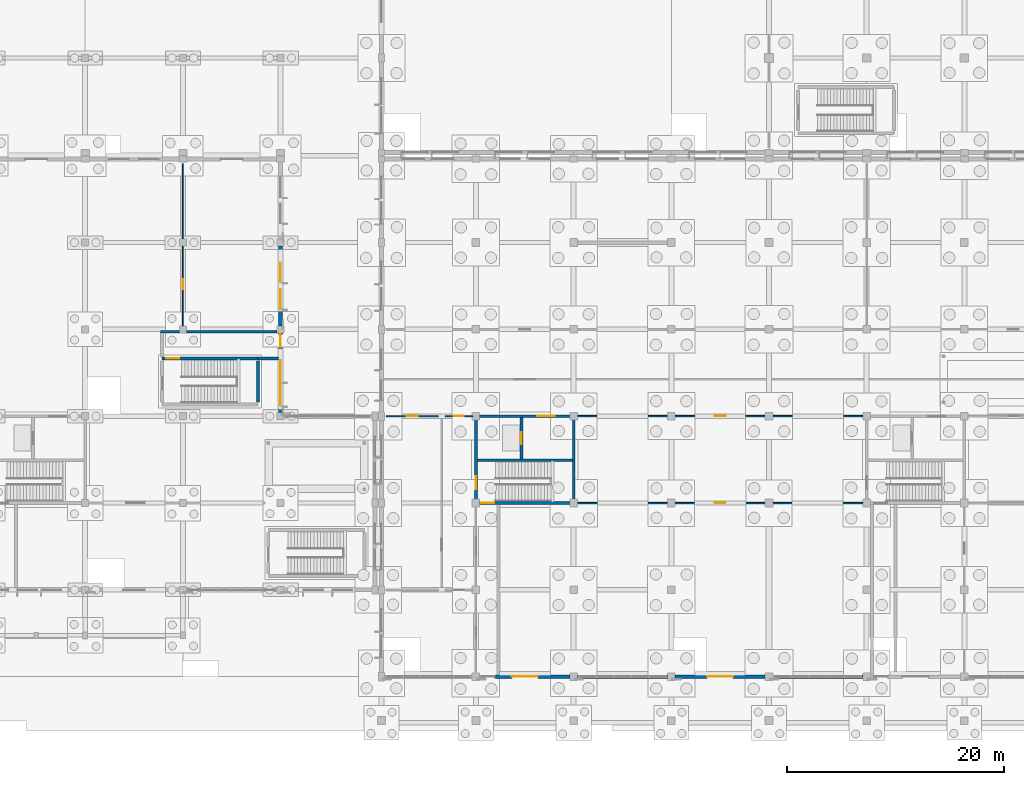
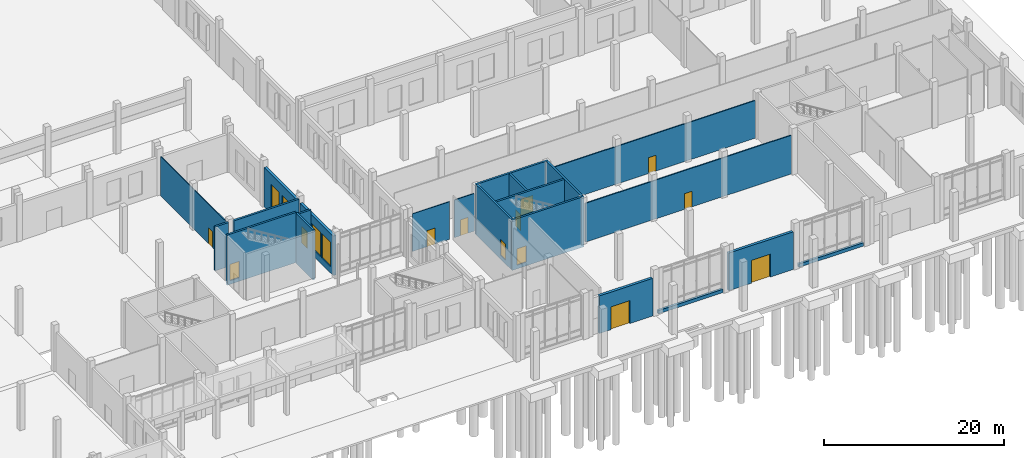
# One storey, part 65 of 99: 23 walls, 13 doors, 4 windows, 17 openings.
"""IFC4 building model written with IfcOpenShell, lengths in metres."""

from ifc_helpers import new_model, si_unit, direction, frame, frame_2d, origin, place, context, subcontext, project, spatial, rectangle, extrude, material, layer, layer_set, type_object, element, fill, save


model = new_model("IFC4")

# Units and contexts
model_context = context("Model", 3, precision=1e-05, world=origin(), true_north=direction((0.0, 1.0)))
body_context = subcontext(model_context, "Body", "Model", "MODEL_VIEW")
ifc_project = project(units=[si_unit("LENGTHUNIT", "METRE"), si_unit("AREAUNIT", "SQUARE_METRE"), si_unit("VOLUMEUNIT", "CUBIC_METRE"), si_unit("PLANEANGLEUNIT", "RADIAN"), si_unit("MASSUNIT", "GRAM", prefix="KILO")], contexts=[model_context])

# Site, building, storey
site_placement = place(None, origin())
site = spatial("IfcSite", under=ifc_project, at=site_placement, CompositionType="ELEMENT")
building_placement = place(site_placement, origin())
building = spatial("IfcBuilding", under=site, at=building_placement, Name="Zacnel Wholesale Market", CompositionType="ELEMENT")
storey_placement = place(building_placement, origin())
storey = spatial("IfcBuildingStorey", under=building, at=storey_placement, Name="L01", CompositionType="ELEMENT", Elevation=0.0)

# Walls
ifc_material_1 = material(Name="Concrete C40/50", Category="concrete")
ifc_layer_1 = layer(ifc_material_1, 0.2548828125)
ifc_layer_set_1 = layer_set([ifc_layer_1], Name="Concrete C40/50")
wall_type_1 = type_object("IfcWallType", Name="WL-COMP-FW250", PredefinedType="STANDARD", material=ifc_layer_set_1)
wall_1_placement = place(storey_placement, frame((132.925048828125, 29.322509765625, 0.0), z_axis=(0.0, 0.0, 1.0), x_axis=(1.0, 0.0, 0.0)))
element("IfcWall", 1, at=wall_1_placement, inside=storey, type_object=wall_type_1, Name="Exit passage ST-19 fire barrier wall 2", PredefinedType="STANDARD", context=body_context, shape_type="SweptSolid", body=[
    extrude(rectangle(XDim=1.905029296875, YDim=0.2548828125, at=frame_2d((0.95263671875, 0.0))), origin(), (0.0, 0.0, 1.0), 5.949951171875),
])
wall_2_placement = place(storey_placement, frame((123.945068359375, 31.777587890625, 0.0), z_axis=(0.0, 0.0, 1.0), x_axis=(1.0, 0.0, 0.0)))
element("IfcWall", 2, at=wall_2_placement, inside=storey, type_object=wall_type_1, Name="Exit passage ST-19 fire barrier wall 3", PredefinedType="STANDARD", context=body_context, shape_type="SweptSolid", body=[
    extrude(rectangle(XDim=1.72998046875, YDim=0.2548828125, at=frame_2d((0.864990234375, 0.0))), origin(), (0.0, 0.0, 1.0), 5.949951171875),
])
wall_3_placement = place(storey_placement, frame((126.324951171875, 31.777587890625, 0.0), z_axis=(0.0, 0.0, 1.0), x_axis=(1.0, 0.0, 0.0)))
element("IfcWall", 3, at=wall_3_placement, inside=storey, type_object=wall_type_1, Name="Exit passage ST-19 fire barrier wall 4", PredefinedType="STANDARD", context=body_context, shape_type="SweptSolid", body=[
    extrude(rectangle(XDim=8.35009765625, YDim=0.2548828125, at=frame_2d((4.175048828125, 0.0))), origin(), (0.0, 0.0, 1.0), 5.949951171875),
])

# Wall, opening, door
ifc_material_2 = material(Name="Concrete C40/50", Category="concrete")
ifc_layer_2 = layer(ifc_material_2, 0.25)
ifc_layer_set_2 = layer_set([ifc_layer_2], Name="Concrete C40/50")
wall_type_2 = type_object("IfcWallType", Name="WL-CORE-SW250", PredefinedType="SOLIDWALL", material=ifc_layer_set_2)
wall_4_placement = place(storey_placement, frame((162.125, 16.0, -0.5), z_axis=(0.0, 0.0, 1.0), x_axis=(-1.0, 0.0, 0.0)))
wall_4 = element("IfcWall", 4, at=wall_4_placement, inside=storey, type_object=wall_type_2, Name="Core C1 south shear wall L01", PredefinedType="SOLIDWALL", context=body_context, shape_type="SweptSolid", body=[
    extrude(rectangle(XDim=9.25, YDim=0.25, at=frame_2d((4.625, 0.0))), origin(), (0.0, 0.0, 1.0), 6.800048828125),
])
opening_1_placement = place(wall_4_placement, frame((7.425048828125, 0.0, 0.5)))
opening_1 = element("IfcOpeningElement", 5, at=opening_1_placement, cuts=wall_4, Name="Opening FD-01", PredefinedType="OPENING", context=body_context, shape_type="SweptSolid", body=[
    extrude(rectangle(XDim=1.199951171875, YDim=2.199951171875, at=frame_2d((0.60009765625, 1.10009765625))), frame((0.0, 0.135009765625, 0.0), z_axis=(0.0, -1.0, 0.0), x_axis=(1.0, 0.0, 0.0)), (0.0, 0.0, 1.0), 0.27001953125),
])
ifc_material_3 = material(Name="Galvanized steel", Category="steel")
door_type_1 = type_object("IfcDoorType", Name="DR-FIRE-STAIR-1200", OperationType="NOTDEFINED", PredefinedType="DOOR", material=ifc_material_3)
door_1_placement = place(opening_1_placement, origin())
door_1 = element("IfcDoor", 6, at=door_1_placement, inside=storey, type_object=door_type_1, Name="Protected stair exit passage fire door C1 L01", OperationType="SINGLE_SWING_RIGHT", OverallHeight=2.199951171875, OverallWidth=1.199951171875, PredefinedType="DOOR", context=body_context, shape_type="SweptSolid", body=[
    extrude(rectangle(XDim=1.199951171875, YDim=2.199951171875, at=frame_2d((0.60009765625, 1.10009765625))), frame((0.0, 0.02490234375, 0.0), z_axis=(0.0, -1.0, 0.0), x_axis=(1.0, 0.0, 0.0)), (0.0, 0.0, 1.0), 0.050048828125),
])
fill(opening_1, door_1)

wall_5_placement = place(storey_placement, frame((152.875, 24.0, -0.5), z_axis=(0.0, 0.0, 1.0), x_axis=(1.0, 0.0, 0.0)))
wall_5 = element("IfcWall", 7, at=wall_5_placement, inside=storey, type_object=wall_type_2, Name="Core C1 north shear wall L01", PredefinedType="SOLIDWALL", context=body_context, shape_type="SweptSolid", body=[
    extrude(rectangle(XDim=9.25, YDim=0.25, at=frame_2d((4.625, 0.0))), origin(), (0.0, 0.0, 1.0), 6.800048828125),
])
opening_2_placement = place(wall_5_placement, frame((5.77490234375, 0.0, 0.5)))
opening_2 = element("IfcOpeningElement", 8, at=opening_2_placement, cuts=wall_5, Name="Opening FD-02", PredefinedType="OPENING", context=body_context, shape_type="SweptSolid", body=[
    extrude(rectangle(XDim=1.60009765625, YDim=2.199951171875, at=frame_2d((0.800048828125, 1.10009765625))), frame((0.0, 0.135009765625, 0.0), z_axis=(0.0, -1.0, 0.0), x_axis=(1.0, 0.0, 0.0)), (0.0, 0.0, 1.0), 0.27001953125),
])
ifc_material_4 = material(Name="Galvanized steel", Category="steel")
door_type_2 = type_object("IfcDoorType", Name="DR-FIRE-LOBBY-1600", OperationType="NOTDEFINED", PredefinedType="DOOR", material=ifc_material_4)
door_2_placement = place(opening_2_placement, origin())
door_2 = element("IfcDoor", 9, at=door_2_placement, inside=storey, type_object=door_type_2, Name="Core lift lobby fire door C1 L01", OperationType="SINGLE_SWING_RIGHT", OverallHeight=2.199951171875, OverallWidth=1.60009765625, PredefinedType="DOOR", context=body_context, shape_type="SweptSolid", body=[
    extrude(rectangle(XDim=1.60009765625, YDim=2.199951171875, at=frame_2d((0.800048828125, 1.10009765625))), frame((0.0, 0.02490234375, 0.0), z_axis=(0.0, -1.0, 0.0), x_axis=(1.0, 0.0, 0.0)), (0.0, 0.0, 1.0), 0.050048828125),
])
fill(opening_2, door_2)

wall_6_placement = place(storey_placement, frame((153.0, 16.125, -0.5), z_axis=(0.0, 0.0, 1.0), x_axis=(0.0, 1.0, 0.0)))
wall_6 = element("IfcWall", 10, at=wall_6_placement, inside=storey, type_object=wall_type_2, Name="Core C1 west shear wall L01", PredefinedType="SOLIDWALL", context=body_context, shape_type="SweptSolid", body=[
    extrude(rectangle(XDim=7.75, YDim=0.25, at=frame_2d((3.875, 0.0))), origin(), (0.0, 0.0, 1.0), 6.800048828125),
])
opening_3_placement = place(wall_6_placement, frame((1.14990234375, 0.0, 0.5)))
opening_3 = element("IfcOpeningElement", 11, at=opening_3_placement, cuts=wall_6, Name="Opening FD-01", PredefinedType="OPENING", context=body_context, shape_type="SweptSolid", body=[
    extrude(rectangle(XDim=1.199951171875, YDim=2.199951171875, at=frame_2d((0.60009765625, 1.10009765625))), frame((0.0, 0.135009765625, 0.0), z_axis=(0.0, -1.0, 0.0), x_axis=(1.0, 0.0, 0.0)), (0.0, 0.0, 1.0), 0.27001953125),
])
door_3_placement = place(opening_3_placement, origin())
door_3 = element("IfcDoor", 12, at=door_3_placement, inside=storey, type_object=door_type_1, Name="Protected stair fire door C1 L01", OperationType="SINGLE_SWING_LEFT", OverallHeight=2.199951171875, OverallWidth=1.199951171875, PredefinedType="DOOR", context=body_context, shape_type="SweptSolid", body=[
    extrude(rectangle(XDim=1.199951171875, YDim=2.199951171875, at=frame_2d((0.60009765625, 1.10009765625))), frame((0.0, 0.02490234375, 0.0), z_axis=(0.0, -1.0, 0.0), x_axis=(1.0, 0.0, 0.0)), (0.0, 0.0, 1.0), 0.050048828125),
])
fill(opening_3, door_3)

# Walls
wall_7_placement = place(storey_placement, frame((162.0, 16.125, -0.5), z_axis=(0.0, 0.0, 1.0), x_axis=(0.0, 1.0, 0.0)))
element("IfcWall", 13, at=wall_7_placement, inside=storey, type_object=wall_type_2, Name="Core C1 east shear wall L01", PredefinedType="SOLIDWALL", context=body_context, shape_type="SweptSolid", body=[
    extrude(rectangle(XDim=7.75, YDim=0.25, at=frame_2d((3.875, 0.0))), origin(), (0.0, 0.0, 1.0), 6.800048828125),
])
wall_8_placement = place(storey_placement, frame((153.125, 19.949951171875, -0.5), z_axis=(0.0, 0.0, 1.0), x_axis=(1.0, 0.0, 0.0)))
element("IfcWall", 14, at=wall_8_placement, inside=storey, type_object=wall_type_2, Name="Core C1 stair-shaft shear wall L01", PredefinedType="SOLIDWALL", context=body_context, shape_type="SweptSolid", body=[
    extrude(rectangle(XDim=8.75, YDim=0.25, at=frame_2d((4.375, 0.0))), origin(), (0.0, 0.0, 1.0), 6.800048828125),
])

# Wall, opening, door
wall_9_placement = place(storey_placement, frame((157.199951171875, 20.074951171875, -0.5), z_axis=(0.0, 0.0, 1.0), x_axis=(0.0, 1.0, 0.0)))
wall_9 = element("IfcWall", 15, at=wall_9_placement, inside=storey, type_object=wall_type_2, Name="Core C1 lift shaft front wall L01", PredefinedType="SOLIDWALL", context=body_context, shape_type="SweptSolid", body=[
    extrude(rectangle(XDim=3.800048828125, YDim=0.25, at=frame_2d((1.89990234375, 0.0))), origin(), (0.0, 0.0, 1.0), 6.800048828125),
])
opening_4_placement = place(wall_9_placement, frame((1.35009765625, 0.0, 0.5)))
opening_4 = element("IfcOpeningElement", 16, at=opening_4_placement, cuts=wall_9, Name="Opening LD-01", PredefinedType="OPENING", context=body_context, shape_type="SweptSolid", body=[
    extrude(rectangle(XDim=1.10009765625, YDim=2.199951171875, at=frame_2d((0.550048828125, 1.10009765625))), frame((0.0, 0.135009765625, 0.0), z_axis=(0.0, -1.0, 0.0), x_axis=(1.0, 0.0, 0.0)), (0.0, 0.0, 1.0), 0.27001953125),
])
ifc_material_5 = material(Name="Galvanized steel", Category="steel")
door_type_3 = type_object("IfcDoorType", Name="DR-LIFT-PASS-1100", OperationType="NOTDEFINED", PredefinedType="DOOR", material=ifc_material_5)
door_4_placement = place(opening_4_placement, origin())
door_4 = element("IfcDoor", 17, at=door_4_placement, inside=storey, type_object=door_type_3, Name="Lift landing door LP-01 L01", OperationType="SLIDING_TO_LEFT", OverallHeight=2.199951171875, OverallWidth=1.10009765625, PredefinedType="DOOR", context=body_context, shape_type="SweptSolid", body=[
    extrude(rectangle(XDim=1.10009765625, YDim=2.199951171875, at=frame_2d((0.550048828125, 1.10009765625))), frame((0.0, 0.02490234375, 0.0), z_axis=(0.0, -1.0, 0.0), x_axis=(1.0, 0.0, 0.0)), (0.0, 0.0, 1.0), 0.050048828125),
])
fill(opening_4, door_4)

wall_10_placement = place(storey_placement, frame((124.074951171875, 29.324951171875, -0.5), z_axis=(0.0, 0.0, 1.0), x_axis=(1.0, 0.0, 0.0)))
wall_10 = element("IfcWall", 18, at=wall_10_placement, inside=storey, type_object=wall_type_2, Name="Stair ST-19 north enclosure wall L01", PredefinedType="SOLIDWALL", context=body_context, shape_type="SweptSolid", body=[
    extrude(rectangle(XDim=8.85009765625, YDim=0.25, at=frame_2d((4.425048828125, 0.0))), origin(), (0.0, 0.0, 1.0), 6.800048828125),
])
opening_5_placement = place(wall_10_placement, frame((0.375, 0.0, 0.5)))
opening_5 = element("IfcOpeningElement", 19, at=opening_5_placement, cuts=wall_10, Name="Opening FD-01", PredefinedType="OPENING", context=body_context, shape_type="SweptSolid", body=[
    extrude(rectangle(XDim=1.199951171875, YDim=2.199951171875, at=frame_2d((0.60009765625, 1.10009765625))), frame((0.0, 0.135009765625, 0.0), z_axis=(0.0, -1.0, 0.0), x_axis=(1.0, 0.0, 0.0)), (0.0, 0.0, 1.0), 0.27001953125),
])
door_5_placement = place(opening_5_placement, origin())
door_5 = element("IfcDoor", 20, at=door_5_placement, inside=storey, type_object=door_type_1, Name="Stair ST-19 exit passage fire door L01", OperationType="SINGLE_SWING_RIGHT", OverallHeight=2.199951171875, OverallWidth=1.199951171875, PredefinedType="DOOR", context=body_context, shape_type="SweptSolid", body=[
    extrude(rectangle(XDim=1.199951171875, YDim=2.199951171875, at=frame_2d((0.60009765625, 1.10009765625))), frame((0.0, 0.02490234375, 0.0), z_axis=(0.0, -1.0, 0.0), x_axis=(1.0, 0.0, 0.0)), (0.0, 0.0, 1.0), 0.050048828125),
])
fill(opening_5, door_5)

# Walls
wall_11_placement = place(storey_placement, frame((132.925048828125, 25.324951171875, -0.5), z_axis=(0.0, 0.0, 1.0), x_axis=(0.0, 1.0, 0.0)))
element("IfcWall", 21, at=wall_11_placement, inside=storey, type_object=wall_type_2, Name="Stair ST-19 east enclosure wall L01", PredefinedType="SOLIDWALL", context=body_context, shape_type="SweptSolid", body=[
    extrude(rectangle(XDim=3.75, YDim=0.25, at=frame_2d((1.875, 0.0))), origin(), (0.0, 0.0, 1.0), 6.800048828125),
])
ifc_material_6 = material(Name="Precast concrete C40/50 (Cancun limestone aggregate)", Category="masonry")
ifc_layer_3 = layer(ifc_material_6, 0.300048828125)
ifc_layer_set_3 = layer_set([ifc_layer_3], Name="Precast concrete C40/50 (Cancun limestone aggregate)")
wall_type_3 = type_object("IfcWallType", Name="WL-EXT-LIME-300", PredefinedType="SOLIDWALL", material=ifc_layer_set_3)
for number, where, z_axis, x_axis, name in (
    (22, (162.35009765625, 0.0, 0.0), (0.0, 0.0, 1.0), (1.0, 0.0, 0.0), "Curtain-wall limestone plinth L01-0006"),
    (23, (180.35009765625, 0.0, 0.0), (0.0, 0.0, 1.0), (1.0, 0.0, 0.0), "Curtain-wall limestone plinth L01-0007"),
):
    element("IfcWall", number, at=place(storey_placement, frame(where, z_axis=z_axis, x_axis=x_axis)), inside=storey, type_object=wall_type_3, Name=name, PredefinedType="SOLIDWALL", context=body_context, shape_type="SweptSolid", body=[
        extrude(rectangle(XDim=8.2998046875, YDim=0.300048828125, at=frame_2d((4.14990234375, 0.0))), origin(), (0.0, 0.0, 1.0), 0.449951171875),
    ])

# Wall, openings, windows
ifc_material_7 = material(Name="Precast concrete C40/50 (Cancun limestone aggregate)", Category="masonry")
ifc_layer_4 = layer(ifc_material_7, 0.340087890625)
ifc_layer_set_4 = layer_set([ifc_layer_4], Name="Precast concrete C40/50 (Cancun limestone aggregate)")
wall_type_4 = type_object("IfcWallType", Name="WL-EXT-LIME-340", PredefinedType="SOLIDWALL", material=ifc_layer_set_4)
wall_12_placement = place(storey_placement, frame((135.0, 24.324951171875, 0.0), z_axis=(0.0, 0.0, 1.0), x_axis=(0.0, 1.0, 0.0)))
wall_12 = element("IfcWall", 24, at=wall_12_placement, inside=storey, type_object=wall_type_4, Name="Exterior wall L01-0097", PredefinedType="SOLIDWALL", context=body_context, shape_type="SweptSolid", body=[
    extrude(rectangle(XDim=5.925048828125, YDim=0.340087890625, at=frame_2d((2.96240234375, 0.0))), origin(), (0.0, 0.0, 1.0), 5.35009765625),
])
opening_6_placement = place(wall_12_placement, frame((0.618896484375, 0.0, 0.85009765625)))
opening_6 = element("IfcOpeningElement", 25, at=opening_6_placement, cuts=wall_12, Name="Opening W-02", PredefinedType="OPENING", context=body_context, shape_type="SweptSolid", body=[
    extrude(rectangle(XDim=2.0, YDim=3.300048828125, at=frame_2d((1.0, 1.64990234375))), frame((0.0, 0.179931640625, 0.0), z_axis=(0.0, -1.0, 0.0), x_axis=(1.0, 0.0, 0.0)), (0.0, 0.0, 1.0), 0.360107421875),
])
opening_7_placement = place(wall_12_placement, frame((2.820068359375, 0.0, 0.85009765625)))
opening_7 = element("IfcOpeningElement", 26, at=opening_7_placement, cuts=wall_12, Name="Opening W-02", PredefinedType="OPENING", context=body_context, shape_type="SweptSolid", body=[
    extrude(rectangle(XDim=2.0, YDim=3.300048828125, at=frame_2d((1.0, 1.64990234375))), frame((0.0, 0.179931640625, 0.0), z_axis=(0.0, -1.0, 0.0), x_axis=(1.0, 0.0, 0.0)), (0.0, 0.0, 1.0), 0.360107421875),
])
ifc_material_8 = material(Name="Laminated hurricane-impact low-E insulated glass", Category="glass")
window_type_1 = type_object("IfcWindowType", Name="WIN-DEC-2000X3300", PartitioningType="DOUBLE_PANEL_VERTICAL", PredefinedType="WINDOW", material=ifc_material_8)
window_1_placement = place(opening_6_placement, origin())
window_1 = element("IfcWindow", 27, at=window_1_placement, inside=storey, type_object=window_type_1, Name="Window L01-0084", OverallHeight=3.300048828125, OverallWidth=2.0, PartitioningType="DOUBLE_PANEL_VERTICAL", PredefinedType="WINDOW", context=body_context, shape_type="SweptSolid", body=[
    extrude(rectangle(XDim=2.0, YDim=3.300048828125, at=frame_2d((1.0, 1.64990234375))), frame((0.0, 0.030029296875, 0.0), z_axis=(0.0, -1.0, 0.0), x_axis=(1.0, 0.0, 0.0)), (0.0, 0.0, 1.0), 0.06005859375),
])
fill(opening_6, window_1)
window_2_placement = place(opening_7_placement, origin())
window_2 = element("IfcWindow", 28, at=window_2_placement, inside=storey, type_object=window_type_1, Name="Window L01-0085", OverallHeight=3.300048828125, OverallWidth=2.0, PartitioningType="DOUBLE_PANEL_VERTICAL", PredefinedType="WINDOW", context=body_context, shape_type="SweptSolid", body=[
    extrude(rectangle(XDim=2.0, YDim=3.300048828125, at=frame_2d((1.0, 1.64990234375))), frame((0.0, 0.030029296875, 0.0), z_axis=(0.0, -1.0, 0.0), x_axis=(1.0, 0.0, 0.0)), (0.0, 0.0, 1.0), 0.06005859375),
])
fill(opening_7, window_2)

wall_13_placement = place(storey_placement, frame((135.0, 32.324951171875, 0.0), z_axis=(0.0, 0.0, 1.0), x_axis=(0.0, 1.0, 0.0)))
wall_13 = element("IfcWall", 29, at=wall_13_placement, inside=storey, type_object=wall_type_4, Name="Exterior wall L01-0098", PredefinedType="SOLIDWALL", context=body_context, shape_type="SweptSolid", body=[
    extrude(rectangle(XDim=7.35009765625, YDim=0.340087890625, at=frame_2d((3.675048828125, 0.0))), origin(), (0.0, 0.0, 1.0), 5.35009765625),
])
opening_8_placement = place(wall_13_placement, frame((1.550048828125, 0.0, 0.85009765625)))
opening_8 = element("IfcOpeningElement", 30, at=opening_8_placement, cuts=wall_13, Name="Opening W-03", PredefinedType="OPENING", context=body_context, shape_type="SweptSolid", body=[
    extrude(rectangle(XDim=1.800048828125, YDim=3.14990234375, at=frame_2d((0.89990234375, 1.574951171875))), frame((0.0, 0.179931640625, 0.0), z_axis=(0.0, -1.0, 0.0), x_axis=(1.0, 0.0, 0.0)), (0.0, 0.0, 1.0), 0.360107421875),
])
opening_9_placement = place(wall_13_placement, frame((4.0, 0.0, 0.85009765625)))
opening_9 = element("IfcOpeningElement", 31, at=opening_9_placement, cuts=wall_13, Name="Opening W-03", PredefinedType="OPENING", context=body_context, shape_type="SweptSolid", body=[
    extrude(rectangle(XDim=1.800048828125, YDim=3.14990234375, at=frame_2d((0.89990234375, 1.574951171875))), frame((0.0, 0.179931640625, 0.0), z_axis=(0.0, -1.0, 0.0), x_axis=(1.0, 0.0, 0.0)), (0.0, 0.0, 1.0), 0.360107421875),
])
ifc_material_9 = material(Name="Laminated hurricane-impact low-E insulated glass", Category="glass")
window_type_2 = type_object("IfcWindowType", Name="WIN-DEC-1800X3150", PartitioningType="DOUBLE_PANEL_VERTICAL", PredefinedType="WINDOW", material=ifc_material_9)
window_3_placement = place(opening_8_placement, origin())
window_3 = element("IfcWindow", 32, at=window_3_placement, inside=storey, type_object=window_type_2, Name="Window L01-0086", OverallHeight=3.14990234375, OverallWidth=1.800048828125, PartitioningType="DOUBLE_PANEL_VERTICAL", PredefinedType="WINDOW", context=body_context, shape_type="SweptSolid", body=[
    extrude(rectangle(XDim=1.800048828125, YDim=3.14990234375, at=frame_2d((0.89990234375, 1.574951171875))), frame((0.0, 0.030029296875, 0.0), z_axis=(0.0, -1.0, 0.0), x_axis=(1.0, 0.0, 0.0)), (0.0, 0.0, 1.0), 0.06005859375),
])
fill(opening_8, window_3)
window_4_placement = place(opening_9_placement, origin())
window_4 = element("IfcWindow", 33, at=window_4_placement, inside=storey, type_object=window_type_2, Name="Window L01-0087", OverallHeight=3.14990234375, OverallWidth=1.800048828125, PartitioningType="DOUBLE_PANEL_VERTICAL", PredefinedType="WINDOW", context=body_context, shape_type="SweptSolid", body=[
    extrude(rectangle(XDim=1.800048828125, YDim=3.14990234375, at=frame_2d((0.89990234375, 1.574951171875))), frame((0.0, 0.030029296875, 0.0), z_axis=(0.0, -1.0, 0.0), x_axis=(1.0, 0.0, 0.0)), (0.0, 0.0, 1.0), 0.06005859375),
])
fill(opening_9, window_4)

# Wall, opening, door
wall_14_placement = place(storey_placement, frame((171.35009765625, 0.0, 0.0), z_axis=(0.0, 0.0, 1.0), x_axis=(1.0, 0.0, 0.0)))
wall_14 = element("IfcWall", 34, at=wall_14_placement, inside=storey, type_object=wall_type_4, Name="Exterior wall L01-0101", PredefinedType="SOLIDWALL", context=body_context, shape_type="SweptSolid", body=[
    extrude(rectangle(XDim=8.2998046875, YDim=0.340087890625, at=frame_2d((4.14990234375, 0.0))), origin(), (0.0, 0.0, 1.0), 5.10009765625),
])
opening_10_placement = place(wall_14_placement, frame((2.949951171875, 0.0, 0.0)))
opening_10 = element("IfcOpeningElement", 35, at=opening_10_placement, cuts=wall_14, Name="Opening ED-01", PredefinedType="OPENING", context=body_context, shape_type="SweptSolid", body=[
    extrude(rectangle(XDim=2.39990234375, YDim=3.10009765625, at=frame_2d((1.199951171875, 1.550048828125))), frame((0.0, 0.179931640625, 0.0), z_axis=(0.0, -1.0, 0.0), x_axis=(1.0, 0.0, 0.0)), (0.0, 0.0, 1.0), 0.360107421875),
])
ifc_material_10 = material(Name="Anodised aluminium", Category="aluminium")
door_type_4 = type_object("IfcDoorType", Name="DR-EXT-PORTAL-2400", OperationType="NOTDEFINED", PredefinedType="DOOR", material=ifc_material_10)
door_6_placement = place(opening_10_placement, origin())
door_6 = element("IfcDoor", 36, at=door_6_placement, inside=storey, type_object=door_type_4, Name="Boulevard entrance portal 027", OperationType="DOUBLE_DOOR_SINGLE_SWING", OverallHeight=3.10009765625, OverallWidth=2.39990234375, PredefinedType="DOOR", context=body_context, shape_type="SweptSolid", body=[
    extrude(rectangle(XDim=2.39990234375, YDim=3.10009765625, at=frame_2d((1.199951171875, 1.550048828125))), frame((0.0, 0.02490234375, 0.0), z_axis=(0.0, -1.0, 0.0), x_axis=(1.0, 0.0, 0.0)), (0.0, 0.0, 1.0), 0.050048828125),
])
fill(opening_10, door_6)

wall_15_placement = place(storey_placement, frame((135.0, 31.675048828125, 0.0), z_axis=(0.0, 0.0, 1.0), x_axis=(0.0, -1.0, 0.0)))
wall_15 = element("IfcWall", 37, at=wall_15_placement, inside=storey, type_object=wall_type_4, Name="Exterior wall L01-0097 part 2", PredefinedType="SOLIDWALL", context=body_context, shape_type="SweptSolid", body=[
    extrude(rectangle(XDim=1.425048828125, YDim=0.340087890625, at=frame_2d((0.71240234375, 0.0))), origin(), (0.0, 0.0, 1.0), 5.35009765625),
])
opening_11_placement = place(wall_15_placement, frame((0.125, 0.0, 0.0)))
opening_11 = element("IfcOpeningElement", 38, at=opening_11_placement, cuts=wall_15, Name="Opening ED-04", PredefinedType="OPENING", context=body_context, shape_type="SweptSolid", body=[
    extrude(rectangle(XDim=1.199951171875, YDim=2.25, at=frame_2d((0.60009765625, 1.125))), frame((0.0, 0.179931640625, 0.0), z_axis=(0.0, -1.0, 0.0), x_axis=(1.0, 0.0, 0.0)), (0.0, 0.0, 1.0), 0.360107421875),
])
ifc_material_11 = material(Name="Galvanized steel S355", Category="steel")
door_type_5 = type_object("IfcDoorType", Name="DR-EXT-EXIT-1200", OperationType="NOTDEFINED", PredefinedType="DOOR", material=ifc_material_11)
door_7_placement = place(opening_11_placement, origin())
door_7 = element("IfcDoor", 39, at=door_7_placement, inside=storey, type_object=door_type_5, Name="Final exit door ST-19 to the east", OperationType="SINGLE_SWING_LEFT", OverallHeight=2.25, OverallWidth=1.199951171875, PredefinedType="DOOR", context=body_context, shape_type="SweptSolid", body=[
    extrude(rectangle(XDim=1.199951171875, YDim=2.25, at=frame_2d((0.60009765625, 1.125))), frame((0.0, 0.02490234375, 0.0), z_axis=(0.0, -1.0, 0.0), x_axis=(1.0, 0.0, 0.0)), (0.0, 0.0, 1.0), 0.050048828125),
])
fill(opening_11, door_7)

wall_16_placement = place(storey_placement, frame((154.800048828125, 0.0, 0.0), z_axis=(0.0, 0.0, 1.0), x_axis=(1.0, 0.0, 0.0)))
wall_16 = element("IfcWall", 40, at=wall_16_placement, inside=storey, type_object=wall_type_4, Name="Exterior wall L01-0100 part 2", PredefinedType="SOLIDWALL", context=body_context, shape_type="SweptSolid", body=[
    extrude(rectangle(XDim=6.849853515625, YDim=0.340087890625, at=frame_2d((3.4248046875, 0.0))), origin(), (0.0, 0.0, 1.0), 5.10009765625),
])
opening_12_placement = place(wall_16_placement, frame((1.5, 0.0, 0.0)))
opening_12 = element("IfcOpeningElement", 41, at=opening_12_placement, cuts=wall_16, Name="Opening ED-01", PredefinedType="OPENING", context=body_context, shape_type="SweptSolid", body=[
    extrude(rectangle(XDim=2.39990234375, YDim=3.10009765625, at=frame_2d((1.199951171875, 1.550048828125))), frame((0.0, 0.179931640625, 0.0), z_axis=(0.0, -1.0, 0.0), x_axis=(1.0, 0.0, 0.0)), (0.0, 0.0, 1.0), 0.360107421875),
])
door_8_placement = place(opening_12_placement, origin())
door_8 = element("IfcDoor", 42, at=door_8_placement, inside=storey, type_object=door_type_4, Name="Boulevard entrance portal 026", OperationType="DOUBLE_DOOR_SINGLE_SWING", OverallHeight=3.10009765625, OverallWidth=2.39990234375, PredefinedType="DOOR", context=body_context, shape_type="SweptSolid", body=[
    extrude(rectangle(XDim=2.39990234375, YDim=3.10009765625, at=frame_2d((1.199951171875, 1.550048828125))), frame((0.0, 0.02490234375, 0.0), z_axis=(0.0, -1.0, 0.0), x_axis=(1.0, 0.0, 0.0)), (0.0, 0.0, 1.0), 0.050048828125),
])
fill(opening_12, door_8)

ifc_material_12 = material(Name="Moisture-resistant gypsum board partition")
ifc_layer_5 = layer(ifc_material_12, 0.10009765625)
ifc_layer_set_5 = layer_set([ifc_layer_5], Name="Moisture-resistant gypsum board partition")
wall_type_5 = type_object("IfcWallType", Name="WL-PART-GYP100", PredefinedType="PARTITIONING", material=ifc_layer_set_5)
wall_17_placement = place(storey_placement, frame((126.0, 32.300048828125, 0.0), z_axis=(0.0, 0.0, 1.0), x_axis=(0.0, 1.0, 0.0)))
wall_17 = element("IfcWall", 43, at=wall_17_placement, inside=storey, type_object=wall_type_5, Name="Interior partition L01-0028", PredefinedType="PARTITIONING", context=body_context, shape_type="SweptSolid", body=[
    extrude(rectangle(XDim=14.949951171875, YDim=0.10009765625, at=frame_2d((7.47509765625, 0.0))), origin(), (0.0, 0.0, 1.0), 5.35009765625),
])
opening_13_placement = place(wall_17_placement, frame((3.3798828125, 0.0, 0.0)))
opening_13 = element("IfcOpeningElement", 44, at=opening_13_placement, cuts=wall_17, Name="Opening ID-11", PredefinedType="OPENING", context=body_context, shape_type="SweptSolid", body=[
    extrude(rectangle(XDim=0.93994140625, YDim=2.139892578125, at=frame_2d((0.469970703125, 1.06982421875))), frame((0.0, 0.06005859375, 0.0), z_axis=(0.0, -1.0, 0.0), x_axis=(1.0, 0.0, 0.0)), (0.0, 0.0, 1.0), 0.1201171875),
])
ifc_material_13 = material(Name="Solid-core tropical hardwood door", Category="wood")
door_type_6 = type_object("IfcDoorType", Name="DR-OFF-SGL-940", OperationType="NOTDEFINED", PredefinedType="DOOR", material=ifc_material_13)
door_9_placement = place(opening_13_placement, origin())
door_9 = element("IfcDoor", 45, at=door_9_placement, inside=storey, type_object=door_type_6, Name="Interior door L01-0024", OperationType="SINGLE_SWING_LEFT", OverallHeight=2.139892578125, OverallWidth=0.93994140625, PredefinedType="DOOR", context=body_context, shape_type="SweptSolid", body=[
    extrude(rectangle(XDim=0.93994140625, YDim=2.139892578125, at=frame_2d((0.469970703125, 1.06982421875))), frame((0.0, 0.02490234375, 0.0), z_axis=(0.0, -1.0, 0.0), x_axis=(1.0, 0.0, 0.0)), (0.0, 0.0, 1.0), 0.050048828125),
])
fill(opening_13, door_9)

wall_18_placement = place(storey_placement, frame((144.75, 24.0, 0.0), z_axis=(0.0, 0.0, 1.0), x_axis=(1.0, 0.0, 0.0)))
wall_18 = element("IfcWall", 46, at=wall_18_placement, inside=storey, type_object=wall_type_5, Name="Interior partition L01-0044", PredefinedType="PARTITIONING", context=body_context, shape_type="SweptSolid", body=[
    extrude(rectangle(XDim=4.800048828125, YDim=0.10009765625, at=frame_2d((2.39990234375, 0.0))), origin(), (0.0, 0.0, 1.0), 5.10009765625),
])
opening_14_placement = place(wall_18_placement, frame((1.889892578125, 0.0, 0.0)))
opening_14 = element("IfcOpeningElement", 47, at=opening_14_placement, cuts=wall_18, Name="Opening ID-12", PredefinedType="OPENING", context=body_context, shape_type="SweptSolid", body=[
    extrude(rectangle(XDim=1.02001953125, YDim=2.179931640625, at=frame_2d((0.510009765625, 1.08984375))), frame((0.0, 0.06005859375, 0.0), z_axis=(0.0, -1.0, 0.0), x_axis=(1.0, 0.0, 0.0)), (0.0, 0.0, 1.0), 0.1201171875),
])
ifc_material_14 = material(Name="Solid-core tropical hardwood door", Category="wood")
door_type_7 = type_object("IfcDoorType", Name="DR-OFF-SGL-1020", OperationType="NOTDEFINED", PredefinedType="DOOR", material=ifc_material_14)
door_10_placement = place(opening_14_placement, origin())
door_10 = element("IfcDoor", 48, at=door_10_placement, inside=storey, type_object=door_type_7, Name="Interior door L01-0035", OperationType="SINGLE_SWING_RIGHT", OverallHeight=2.179931640625, OverallWidth=1.02001953125, PredefinedType="DOOR", context=body_context, shape_type="SweptSolid", body=[
    extrude(rectangle(XDim=1.02001953125, YDim=2.179931640625, at=frame_2d((0.510009765625, 1.08984375))), frame((0.0, 0.02490234375, 0.0), z_axis=(0.0, -1.0, 0.0), x_axis=(1.0, 0.0, 0.0)), (0.0, 0.0, 1.0), 0.050048828125),
])
fill(opening_14, door_10)

ifc_material_15 = material(Name="Moisture-resistant gypsum board partition")
ifc_layer_6 = layer(ifc_material_15, 0.110107421875)
ifc_layer_set_6 = layer_set([ifc_layer_6], Name="Moisture-resistant gypsum board partition")
wall_type_6 = type_object("IfcWallType", Name="WL-PART-GYP110", PredefinedType="PARTITIONING", material=ifc_layer_set_6)
wall_19_placement = place(storey_placement, frame((150.14990234375, 24.0, 0.0), z_axis=(0.0, 0.0, 1.0), x_axis=(1.0, 0.0, 0.0)))
wall_19 = element("IfcWall", 49, at=wall_19_placement, inside=storey, type_object=wall_type_6, Name="Interior partition L01-0043", PredefinedType="PARTITIONING", context=body_context, shape_type="SweptSolid", body=[
    extrude(rectangle(XDim=2.550048828125, YDim=0.110107421875, at=frame_2d((1.27490234375, 0.0))), origin(), (0.0, 0.0, 1.0), 5.10009765625),
])
opening_15_placement = place(wall_19_placement, frame((0.804931640625, 0.0, 0.0)))
opening_15 = element("IfcOpeningElement", 50, at=opening_15_placement, cuts=wall_19, Name="Opening ID-11", PredefinedType="OPENING", context=body_context, shape_type="SweptSolid", body=[
    extrude(rectangle(XDim=0.93994140625, YDim=2.139892578125, at=frame_2d((0.469970703125, 1.06982421875))), frame((0.0, 0.06494140625, 0.0), z_axis=(0.0, -1.0, 0.0), x_axis=(1.0, 0.0, 0.0)), (0.0, 0.0, 1.0), 0.130126953125),
])
door_11_placement = place(opening_15_placement, origin())
door_11 = element("IfcDoor", 51, at=door_11_placement, inside=storey, type_object=door_type_6, Name="Interior door L01-0034", OperationType="SINGLE_SWING_LEFT", OverallHeight=2.139892578125, OverallWidth=0.93994140625, PredefinedType="DOOR", context=body_context, shape_type="SweptSolid", body=[
    extrude(rectangle(XDim=0.93994140625, YDim=2.139892578125, at=frame_2d((0.469970703125, 1.06982421875))), frame((0.0, 0.02490234375, 0.0), z_axis=(0.0, -1.0, 0.0), x_axis=(1.0, 0.0, 0.0)), (0.0, 0.0, 1.0), 0.050048828125),
])
fill(opening_15, door_11)

ifc_material_16 = material(Name="Moisture-resistant gypsum board partition")
ifc_layer_7 = layer(ifc_material_16, 0.139892578125)
ifc_layer_set_7 = layer_set([ifc_layer_7], Name="Moisture-resistant gypsum board partition")
wall_type_7 = type_object("IfcWallType", Name="WL-PART-GYP140", PredefinedType="PARTITIONING", material=ifc_layer_set_7)
wall_20_placement = place(storey_placement, frame((162.300048828125, 16.0, 0.0), z_axis=(0.0, 0.0, 1.0), x_axis=(1.0, 0.0, 0.0)))
wall_20 = element("IfcWall", 52, at=wall_20_placement, inside=storey, type_object=wall_type_7, Name="Interior partition L01-0037", PredefinedType="PARTITIONING", context=body_context, shape_type="SweptSolid", body=[
    extrude(rectangle(XDim=26.39990234375, YDim=0.139892578125, at=frame_2d((13.199951171875, 0.0))), origin(), (0.0, 0.0, 1.0), 5.25),
])
opening_16_placement = place(wall_20_placement, frame((12.7099609375, 0.0, 0.0)))
opening_16 = element("IfcOpeningElement", 53, at=opening_16_placement, cuts=wall_20, Name="Opening ID-04", PredefinedType="OPENING", context=body_context, shape_type="SweptSolid", body=[
    extrude(rectangle(XDim=0.97998046875, YDim=2.1201171875, at=frame_2d((0.489990234375, 1.06005859375))), frame((0.0, 0.079833984375, 0.0), z_axis=(0.0, -1.0, 0.0), x_axis=(1.0, 0.0, 0.0)), (0.0, 0.0, 1.0), 0.159912109375),
])
ifc_material_17 = material(Name="Solid-core tropical hardwood door", Category="wood")
door_type_8 = type_object("IfcDoorType", Name="DR-OFF-SGL-980", OperationType="NOTDEFINED", PredefinedType="DOOR", material=ifc_material_17)
door_12_placement = place(opening_16_placement, origin())
door_12 = element("IfcDoor", 54, at=door_12_placement, inside=storey, type_object=door_type_8, Name="Interior door L01-0032", OperationType="SINGLE_SWING_RIGHT", OverallHeight=2.1201171875, OverallWidth=0.97998046875, PredefinedType="DOOR", context=body_context, shape_type="SweptSolid", body=[
    extrude(rectangle(XDim=0.97998046875, YDim=2.1201171875, at=frame_2d((0.489990234375, 1.06005859375))), frame((0.0, 0.02490234375, 0.0), z_axis=(0.0, -1.0, 0.0), x_axis=(1.0, 0.0, 0.0)), (0.0, 0.0, 1.0), 0.050048828125),
])
fill(opening_16, door_12)

wall_21_placement = place(storey_placement, frame((162.300048828125, 24.0, 0.0), z_axis=(0.0, 0.0, 1.0), x_axis=(1.0, 0.0, 0.0)))
wall_21 = element("IfcWall", 55, at=wall_21_placement, inside=storey, type_object=wall_type_7, Name="Interior partition L01-0045", PredefinedType="PARTITIONING", context=body_context, shape_type="SweptSolid", body=[
    extrude(rectangle(XDim=26.39990234375, YDim=0.139892578125, at=frame_2d((13.199951171875, 0.0))), origin(), (0.0, 0.0, 1.0), 5.10009765625),
])
opening_17_placement = place(wall_21_placement, frame((12.699951171875, 0.0, 0.0)))
opening_17 = element("IfcOpeningElement", 56, at=opening_17_placement, cuts=wall_21, Name="Opening ID-03", PredefinedType="OPENING", context=body_context, shape_type="SweptSolid", body=[
    extrude(rectangle(XDim=1.0, YDim=2.14990234375, at=frame_2d((0.5, 1.074951171875))), frame((0.0, 0.079833984375, 0.0), z_axis=(0.0, -1.0, 0.0), x_axis=(1.0, 0.0, 0.0)), (0.0, 0.0, 1.0), 0.159912109375),
])
ifc_material_18 = material(Name="Solid-core tropical hardwood door", Category="wood")
door_type_9 = type_object("IfcDoorType", Name="DR-OFF-SGL-1000", OperationType="NOTDEFINED", PredefinedType="DOOR", material=ifc_material_18)
door_13_placement = place(opening_17_placement, origin())
door_13 = element("IfcDoor", 57, at=door_13_placement, inside=storey, type_object=door_type_9, Name="Interior door L01-0036", OperationType="SINGLE_SWING_LEFT", OverallHeight=2.14990234375, OverallWidth=1.0, PredefinedType="DOOR", context=body_context, shape_type="SweptSolid", body=[
    extrude(rectangle(XDim=1.0, YDim=2.14990234375, at=frame_2d((0.5, 1.074951171875))), frame((0.0, 0.02490234375, 0.0), z_axis=(0.0, -1.0, 0.0), x_axis=(1.0, 0.0, 0.0)), (0.0, 0.0, 1.0), 0.050048828125),
])
fill(opening_17, door_13)

save(model, "model.ifc")
